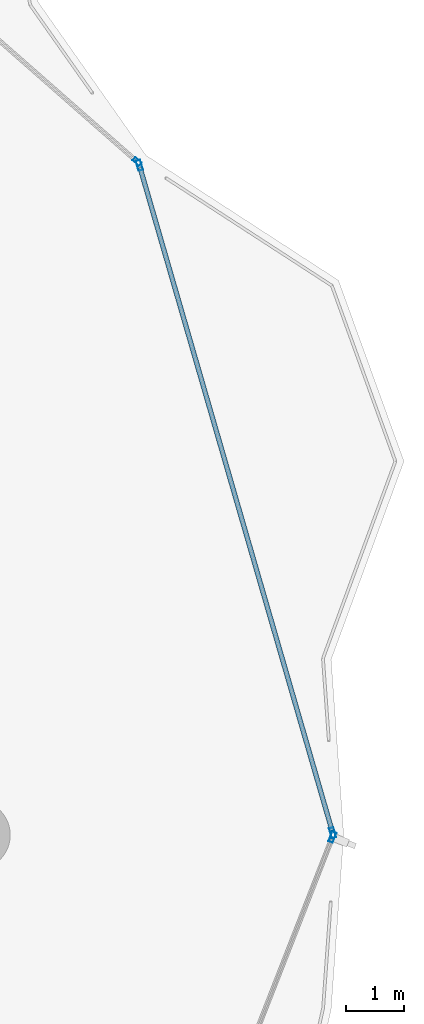
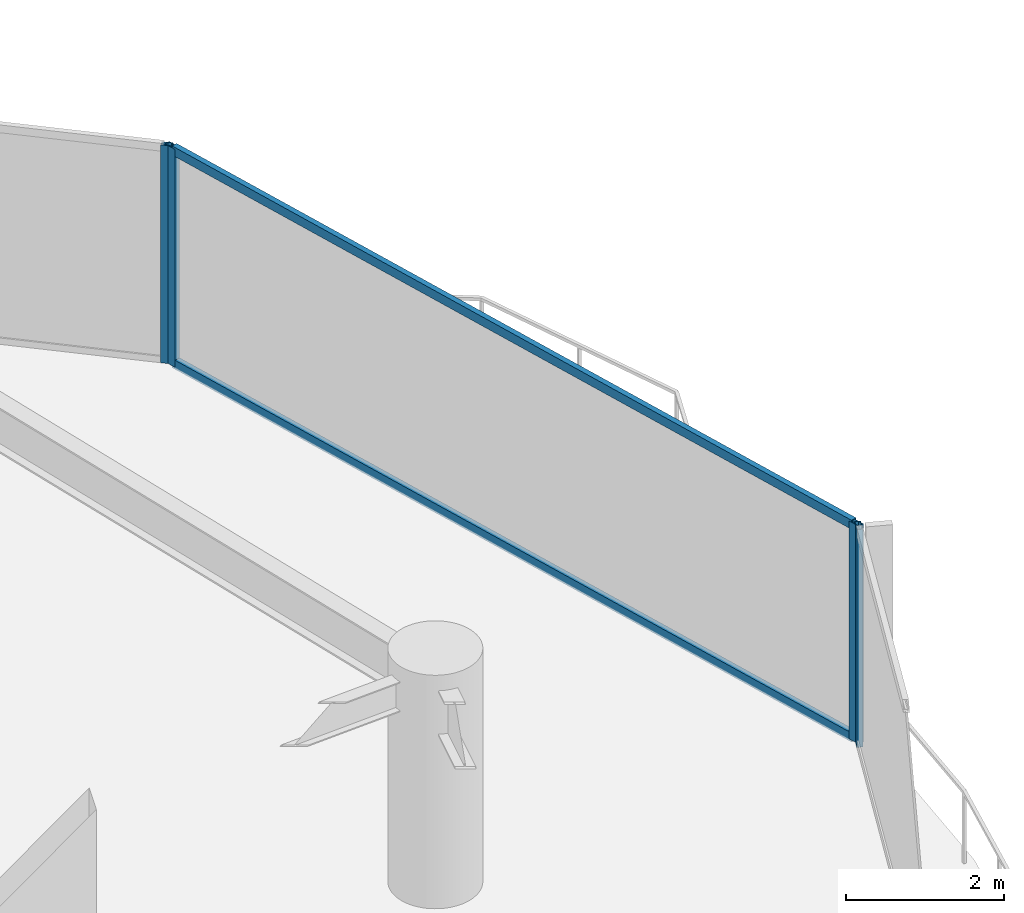
# One storey, part 24 of 34: 6 members, 3 elements without a shape of their own.
"""IFC4 building model written with IfcOpenShell, lengths in metres."""

from ifc_helpers import new_model, si_unit, direction, frame, origin, origin_2d, place, context, subcontext, project, spatial, hollow_rectangle, extrude, material, layer, layer_set, material_profile, profile_set, type_object, element, aggregate, save


model = new_model("IFC4")

# Units and contexts
model_context = context("Model", 3, precision=1e-05, world=origin(), true_north=direction((0.0, 1.0)))
body_context = subcontext(model_context, "Body", "Model", "MODEL_VIEW")
ifc_project = project(units=[si_unit("LENGTHUNIT", "METRE"), si_unit("AREAUNIT", "SQUARE_METRE"), si_unit("VOLUMEUNIT", "CUBIC_METRE"), si_unit("PLANEANGLEUNIT", "RADIAN"), si_unit("MASSUNIT", "GRAM", prefix="KILO")], contexts=[model_context])

# Site, building, storey
site_placement = place(None, origin())
site = spatial("IfcSite", under=ifc_project, at=site_placement, CompositionType="ELEMENT")
building_placement = place(site_placement, origin())
building = spatial("IfcBuilding", under=site, at=building_placement, Name="Kazevale Care Tower and Concert Hall", CompositionType="ELEMENT")
storey_placement = place(building_placement, frame((0.0, 0.0, 156.60009765625)))
storey = spatial("IfcBuildingStorey", under=building, at=storey_placement, Name="L41", CompositionType="ELEMENT", Elevation=156.60009765625)

# Curtain wall, member
ifc_material_1 = material(Name="Aluminium 6063-T6 and Low-E Glass", Category="aluminium")
ifc_layer_1 = layer(ifc_material_1, 0.179931640625)
ifc_layer_set_1 = layer_set([ifc_layer_1], Name="Aluminium 6063-T6 and Low-E Glass")
curtain_wall_type_1 = type_object("IfcCurtainWallType", Name="Convex Recessed Sunroom Curtain Wall CW-3", PredefinedType="NOTDEFINED", material=ifc_layer_set_1)
curtain_wall_1_placement = place(storey_placement, origin())
curtain_wall_1 = element("IfcCurtainWall", 1, at=curtain_wall_1_placement, inside=storey, type_object=curtain_wall_type_1, Name="cw:L41:f17", PredefinedType="NOTDEFINED")
ifc_material_2 = material(Name="Aluminium 6063-T6", Category="aluminium")
ifc_material_profile_1 = material_profile(ifc_material_2, hollow_rectangle(XDim=0.074951171875, YDim=0.14990234375, WallThickness=0.00390625, at=origin_2d()), Name="ALU75x150x4")
ifc_profile_set_1 = profile_set([ifc_material_profile_1], Name="Aluminium 6063-T6")
member_type_1 = type_object("IfcMemberType", Name="CW-3 Mullion ALU75x150x4", PredefinedType="MULLION", material=ifc_profile_set_1)
member_1_placement = place(storey_placement, frame((75.837890625, 49.607666015625, 0.0), z_axis=(0.0, 0.0, 1.0), x_axis=(0.659891732197, 0.751360700182, 0.0)))
member_1 = element("IfcMember", 2, at=member_1_placement, type_object=member_type_1, Name="CW-3 mullion 2", PredefinedType="MULLION", context=body_context, shape_type="SweptSolid", body=[
    extrude(hollow_rectangle(XDim=0.074951171875, YDim=0.14990234375, WallThickness=0.00390625, at=origin_2d()), origin(), (0.0, 0.0, 1.0), 3.35986328125),
])
aggregate(curtain_wall_1, [member_1])

ifc_layer_2 = layer(ifc_material_1, 0.179931640625)
ifc_layer_set_2 = layer_set([ifc_layer_2], Name="Aluminium 6063-T6 and Low-E Glass")
curtain_wall_type_2 = type_object("IfcCurtainWallType", Name="Waist & Upper Residential Curtain Wall CW-4", PredefinedType="NOTDEFINED", material=ifc_layer_set_2)
curtain_wall_2_placement = place(storey_placement, origin())
curtain_wall_2 = element("IfcCurtainWall", 3, at=curtain_wall_2_placement, inside=storey, type_object=curtain_wall_type_2, Name="cw:L41:f01", PredefinedType="NOTDEFINED")
ifc_material_profile_2 = material_profile(ifc_material_2, hollow_rectangle(XDim=0.080078125, YDim=0.179931640625, WallThickness=0.0048828125, at=origin_2d()), Name="ALU80x180x5")
ifc_profile_set_2 = profile_set([ifc_material_profile_2], Name="Aluminium 6063-T6")
member_type_2 = type_object("IfcMemberType", Name="CW-4 Mullion ALU80x180x5", PredefinedType="MULLION", material=ifc_profile_set_2)
member_2_placement = place(storey_placement, frame((79.205322265625, 37.962646484375, 0.0), z_axis=(0.0, 0.0, 1.0), x_axis=(0.931351746651, -0.36412075471, 0.0)))
member_2 = element("IfcMember", 4, at=member_2_placement, type_object=member_type_2, Name="CW-4 mullion 1", PredefinedType="MULLION", context=body_context, shape_type="SweptSolid", body=[
    extrude(hollow_rectangle(XDim=0.080078125, YDim=0.179931640625, WallThickness=0.0048828125, at=origin_2d()), origin(), (0.0, 0.0, 1.0), 3.35986328125),
])
aggregate(curtain_wall_2, [member_2])

# Curtain wall, members
curtain_wall_3_placement = place(storey_placement, origin())
curtain_wall_3 = element("IfcCurtainWall", 5, at=curtain_wall_3_placement, inside=storey, type_object=curtain_wall_type_2, Name="cw:L41:f18", PredefinedType="NOTDEFINED")
member_3_placement = place(storey_placement, frame((75.877197265625, 49.544677734375, 0.0), z_axis=(0.0, 0.0, 1.0), x_axis=(0.960541529182, 0.278136604418, 0.0)))
member_3 = element("IfcMember", 6, at=member_3_placement, type_object=member_type_2, Name="CW-4 mullion 1", PredefinedType="MULLION", context=body_context, shape_type="SweptSolid", body=[
    extrude(hollow_rectangle(XDim=0.080078125, YDim=0.179931640625, WallThickness=0.0048828125, at=origin_2d()), origin(), (0.0, 0.0, 1.0), 3.35986328125),
])
member_4_placement = place(storey_placement, frame((79.208984375, 38.038330078125, 0.0), z_axis=(0.0, 0.0, 1.0), x_axis=(0.960541529182, 0.278136604418, 0.0)))
member_4 = element("IfcMember", 7, at=member_4_placement, type_object=member_type_2, Name="CW-4 mullion 2", PredefinedType="MULLION", context=body_context, shape_type="SweptSolid", body=[
    extrude(hollow_rectangle(XDim=0.080078125, YDim=0.179931640625, WallThickness=0.0048828125, at=origin_2d()), origin(), (0.0, 0.0, 1.0), 3.35986328125),
])
ifc_material_profile_3 = material_profile(ifc_material_2, hollow_rectangle(XDim=0.080078125, YDim=0.139892578125, WallThickness=0.00390625, at=origin_2d()), Name="ALU80x140x4")
ifc_profile_set_3 = profile_set([ifc_material_profile_3], Name="Aluminium 6063-T6")
member_type_3 = type_object("IfcMemberType", Name="CW-4 Transom ALU80x140x4", PredefinedType="USERDEFINED", material=ifc_profile_set_3)
member_5_placement = place(storey_placement, frame((75.88818359375, 49.506103515625, 0.039794921875), z_axis=(0.278144763179, -0.960539166675, 0.0), x_axis=(0.960539166675, 0.278144763179, 0.0)))
member_5 = element("IfcMember", 8, at=member_5_placement, type_object=member_type_3, Name="CW-4 transom 1.1", ObjectType="TRANSOM", PredefinedType="USERDEFINED", context=body_context, shape_type="SweptSolid", body=[
    extrude(hollow_rectangle(XDim=0.080078125, YDim=0.139892578125, WallThickness=0.00390625, at=origin_2d()), origin(), (0.0, 0.0, 1.0), 11.898681640625),
])
member_6_placement = place(storey_placement, frame((75.88818359375, 49.506103515625, 3.31982421875), z_axis=(0.278144763179, -0.960539166675, 0.0), x_axis=(0.960539166675, 0.278144763179, 0.0)))
member_6 = element("IfcMember", 9, at=member_6_placement, type_object=member_type_3, Name="CW-4 transom 1.2", ObjectType="TRANSOM", PredefinedType="USERDEFINED", context=body_context, shape_type="SweptSolid", body=[
    extrude(hollow_rectangle(XDim=0.080078125, YDim=0.139892578125, WallThickness=0.00390625, at=origin_2d()), origin(), (0.0, 0.0, 1.0), 11.898681640625),
])
aggregate(curtain_wall_3, [member_3, member_4, member_5, member_6])

save(model, "model.ifc")
